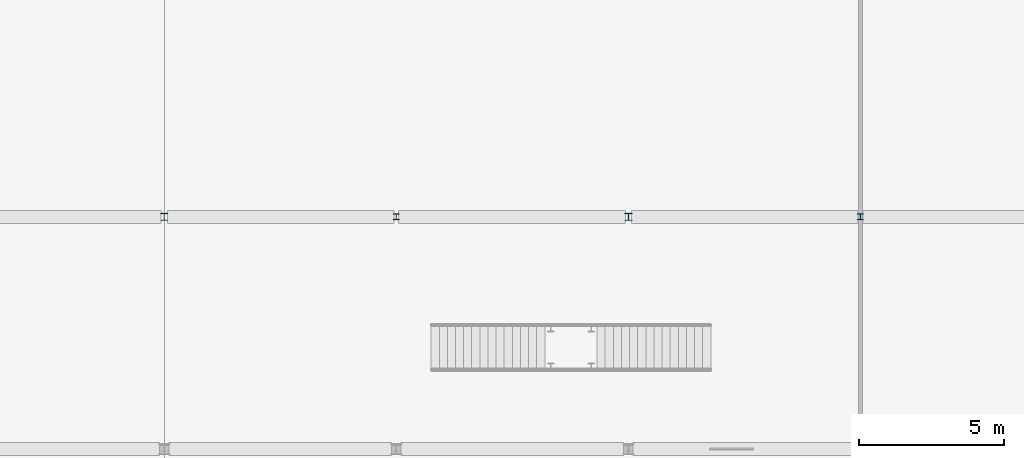
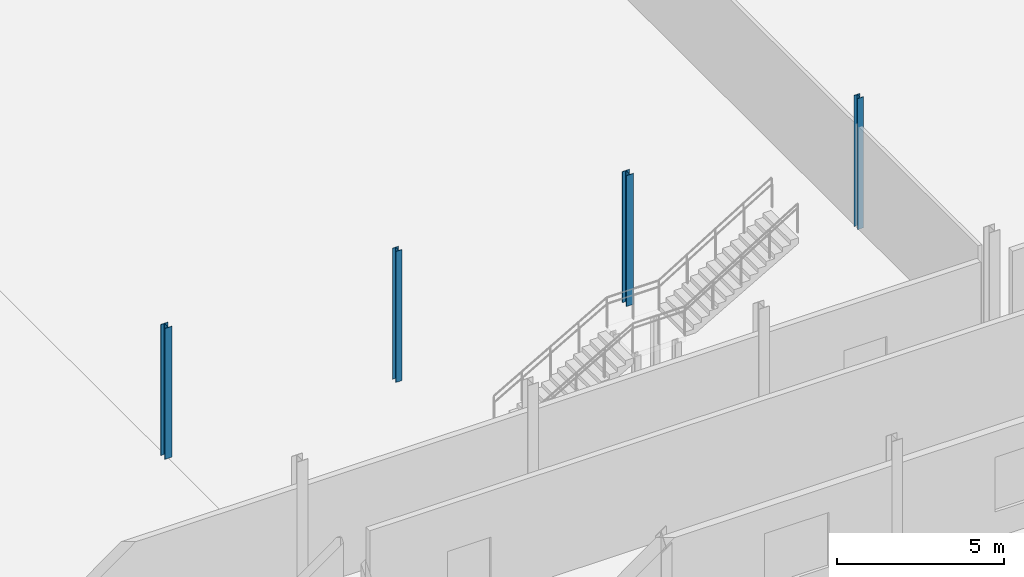
# One storey, part 18 of 117: 4 columns.
"""IFC4 building model written with IfcOpenShell, lengths in metres."""

import ifcopenshell
import ifcopenshell.guid

model = None  # the IFC model being written
_history = None  # IfcOwnerHistory: only IFC2X3 demands one
_inside = {}  # id of a spatial element -> (the spatial element, [elements in it])
_under = {}  # id of a project, library or spatial element -> (it, [spatial elements below it])
_declared = {}  # id of a project -> (the project, [libraries it declares])
_typed = {}  # id of a type object -> (the type object, [elements of that type])
_made_of = {}  # id of a material, layer set ... -> (it, [elements and type objects made of it])


def new_model(schema):
    """Start an empty IFC model of exactly this schema.

    Asked for "IFC4X3", IfcOpenShell would pick the latest addendum, in which some entities
    have other attributes; the version numbers below select the first issue.
    IFC2X3 requires an IfcOwnerHistory on every rooted entity: one is made here for all.
    """
    global model, _history
    if schema == "IFC4X3":
        model = ifcopenshell.file(schema_version=(4, 3, 0, 0))
    else:
        model = ifcopenshell.file(schema=schema)
    _inside.clear()
    _under.clear()
    _declared.clear()
    _typed.clear()
    _made_of.clear()
    _history = None
    if model.schema == "IFC2X3":
        org = make("IfcOrganization", Name="unknown")
        user = make(
            "IfcPersonAndOrganization",
            ThePerson=make("IfcPerson", FamilyName="unknown"),
            TheOrganization=org,
        )
        app = make(
            "IfcApplication",
            ApplicationDeveloper=org,
            Version="unknown",
            ApplicationFullName="unknown",
            ApplicationIdentifier="unknown",
        )
        _history = make(
            "IfcOwnerHistory",
            OwningUser=user,
            OwningApplication=app,
            ChangeAction="ADDED",
            CreationDate=0,
        )
    return model


def make(cls, **values):
    """One entity of the class cls with the attributes given. An attribute that is None is left unset."""
    return model.create_entity(
        cls, **{name: value for name, value in values.items() if value is not None}
    )


def rooted(cls, **values):
    """An entity with a GlobalId (a new one), such as an element, a storey or a relation."""
    return make(cls, GlobalId=ifcopenshell.guid.new(), OwnerHistory=_history, **values)


def si_unit(unit_type, name, prefix=None):
    """IfcSIUnit, for example si_unit("LENGTHUNIT", "METRE", prefix="MILLI")."""
    return make("IfcSIUnit", UnitType=unit_type, Prefix=prefix, Name=name)


def assignment(units):
    """IfcUnitAssignment: the units of a project."""
    return None if units is None else make("IfcUnitAssignment", Units=units)


def point(xyz):
    """IfcCartesianPoint."""
    return None if xyz is None else make("IfcCartesianPoint", Coordinates=xyz)


def direction(xyz):
    """IfcDirection."""
    return None if xyz is None else make("IfcDirection", DirectionRatios=xyz)


def frame(location, z_axis=None, x_axis=None):
    """IfcAxis2Placement3D, a coordinate frame: its origin and axes. An axis left out is left unset."""
    return make(
        "IfcAxis2Placement3D",
        Location=point(location),
        Axis=direction(z_axis),
        RefDirection=direction(x_axis),
    )


def frame_2d(location, x_axis=None):
    """IfcAxis2Placement2D, a coordinate frame in the plane: its origin and x axis."""
    return make(
        "IfcAxis2Placement2D", Location=point(location), RefDirection=direction(x_axis)
    )


def origin():
    """The frame at (0, 0, 0) with its axes left unset."""
    return frame((0.0, 0.0, 0.0))


def origin_2d():
    """The frame at (0, 0) in the plane with its x axis left unset."""
    return frame_2d((0.0, 0.0))


def place(relative_to, where):
    """IfcLocalPlacement: puts the frame where relative to a parent placement (None: the world)."""
    return make(
        "IfcLocalPlacement", PlacementRelTo=relative_to, RelativePlacement=where
    )


def context(
    kind, dimensions, precision=None, world=None, true_north=None, identifier=None
):
    """IfcGeometricRepresentationContext, for example the 3D "Model" context."""
    return make(
        "IfcGeometricRepresentationContext",
        ContextIdentifier=identifier,
        ContextType=kind,
        CoordinateSpaceDimension=dimensions,
        Precision=precision,
        WorldCoordinateSystem=world,
        TrueNorth=true_north,
    )


def subcontext(parent, identifier, kind, view, scale=None):
    """IfcGeometricRepresentationSubContext, for example "Body" below "Model"."""
    return make(
        "IfcGeometricRepresentationSubContext",
        ContextIdentifier=identifier,
        ContextType=kind,
        ParentContext=parent,
        TargetScale=scale,
        TargetView=view,
    )


def project(units=None, contexts=None):
    """IfcProject with its units and contexts."""
    return rooted(
        "IfcProject",
        Name="project",
        RepresentationContexts=contexts,
        UnitsInContext=assignment(units),
    )


def spatial(cls, under=None, at=None, **own):
    """A site, building, storey or space (cls), placed at a placement, below another one or the project."""
    s = rooted(cls, ObjectPlacement=at, **own)
    if under is not None:
        _under.setdefault(under.id(), (under, []))[1].append(s)
    return s


def profile(cls, at=None, kind="AREA", **sizes):
    """A parametric profile (cls). Its sizes go by their IFC names, for example OverallWidth=200.0."""
    return make(cls, ProfileType=kind, Position=at, **sizes)


def i_section(**sizes):
    """IfcIShapeProfileDef."""
    return profile("IfcIShapeProfileDef", **sizes)


def extrude(swept, where, along, depth):
    """IfcExtrudedAreaSolid: the profile swept, set in the frame where, extruded along a direction by depth."""
    return make(
        "IfcExtrudedAreaSolid",
        SweptArea=swept,
        Position=where,
        ExtrudedDirection=direction(along),
        Depth=depth,
    )


def shape(context_of_items, identifier, shape_type, items):
    """IfcShapeRepresentation: the items that make up one representation, for example the "Body"."""
    return make(
        "IfcShapeRepresentation",
        ContextOfItems=context_of_items,
        RepresentationIdentifier=identifier,
        RepresentationType=shape_type,
        Items=items,
    )


def material(Name=None, Category=None):
    """IfcMaterial."""
    return make("IfcMaterial", Name=Name, Category=Category)


def material_profile(
    of_material, cross_section, Name=None, Category=None, Priority=None
):
    """IfcMaterialProfile: a cross section and its material."""
    return make(
        "IfcMaterialProfile",
        Name=Name,
        Material=of_material,
        Profile=cross_section,
        Priority=Priority,
        Category=Category,
    )


def profile_set(profiles, Name=None, composite=None):
    """IfcMaterialProfileSet."""
    return make(
        "IfcMaterialProfileSet",
        Name=Name,
        MaterialProfiles=profiles,
        CompositeProfile=composite,
    )


def made_of(thing, what):
    """Note that an element or type object is made of a material, layer set ...; save() writes the relation."""
    if what is not None:
        _made_of.setdefault(what.id(), (what, []))[1].append(thing)
    return thing


def type_object(cls, material=None, **own):
    """A type object (cls), such as IfcWallType, which elements share."""
    return made_of(rooted(cls, **own), material)


def element(
    cls,
    number,
    at=None,
    inside=None,
    cuts=None,
    type_object=None,
    material=None,
    context=None,
    identifier="Body",
    shape_type=None,
    held_by="IfcProductDefinitionShape",
    body=None,
    shapes=None,
    **own,
):
    """One element of the class cls, such as IfcWall. Its Tag is "e" and its number.

    at: its placement. inside: the storey or other place that contains it. cuts: it is an
    opening in that element (IfcRelVoidsElement). A single representation is given by context,
    identifier, shape_type and body (its items); several are given by shapes. held_by: the class
    of the entity that holds the representations. save() writes the other relations.
    """
    e = rooted(cls, Tag="e%d" % number, ObjectPlacement=at, **own)
    if body is not None:
        shapes = [shape(context, identifier, shape_type, body)]
    if shapes is not None:
        e.Representation = make(held_by, Representations=shapes)
    if inside is not None:
        _inside.setdefault(inside.id(), (inside, []))[1].append(e)
    if cuts is not None:
        rooted(
            "IfcRelVoidsElement", RelatingBuildingElement=cuts, RelatedOpeningElement=e
        )
    if type_object is not None:
        _typed.setdefault(type_object.id(), (type_object, []))[1].append(e)
    return made_of(e, material)


def aggregate(whole, parts):
    """IfcRelAggregates: a whole, such as a stair, and the parts it consists of."""
    return rooted("IfcRelAggregates", RelatingObject=whole, RelatedObjects=parts)


def save(model, path):
    """Write the relations noted so far, then the file.

    IfcRelAggregates (storeys below a building ...), IfcRelContainedInSpatialStructure (elements
    in a storey), IfcRelDefinesByType, IfcRelAssociatesMaterial and IfcRelDeclares: one each for
    every whole, place, type object, material and project.
    """
    for whole, parts in _under.values():
        aggregate(whole, parts)
    for where, things in _inside.values():
        rooted(
            "IfcRelContainedInSpatialStructure",
            RelatedElements=things,
            RelatingStructure=where,
        )
    for kind, things in _typed.values():
        rooted("IfcRelDefinesByType", RelatedObjects=things, RelatingType=kind)
    for what, things in _made_of.values():
        rooted("IfcRelAssociatesMaterial", RelatedObjects=things, RelatingMaterial=what)
    for by, libraries in _declared.values():
        rooted("IfcRelDeclares", RelatingContext=by, RelatedDefinitions=libraries)
    model.write(path)


model = new_model("IFC4")

# Units and contexts
model_context = context("Model", 3, precision=1e-05, world=origin(), true_north=direction((0.0, 1.0)))
body_context = subcontext(model_context, "Body", "Model", "MODEL_VIEW")
ifc_project = project(units=[si_unit("LENGTHUNIT", "METRE"), si_unit("AREAUNIT", "SQUARE_METRE"), si_unit("VOLUMEUNIT", "CUBIC_METRE"), si_unit("PLANEANGLEUNIT", "RADIAN"), si_unit("MASSUNIT", "GRAM", prefix="KILO")], contexts=[model_context])

# Site, building, storey
site_placement = place(None, origin())
site = spatial("IfcSite", under=ifc_project, at=site_placement, CompositionType="ELEMENT")
building_placement = place(site_placement, origin())
building = spatial("IfcBuilding", under=site, at=building_placement, Name="Jelvoka-Kovrelna Polytechnic", CompositionType="ELEMENT")
storey_placement = place(building_placement, origin())
storey = spatial("IfcBuildingStorey", under=building, at=storey_placement, Name="L01", CompositionType="ELEMENT", Elevation=0.0)

# Columns
ifc_material_1 = material(Name="Structural steel S355JR", Category="steel")
ifc_material_profile_1 = material_profile(ifc_material_1, i_section(OverallWidth=0.205810546875, OverallDepth=0.209716796875, WebThickness=0.009521484375, FlangeThickness=0.01416015625, FilletRadius=0.01025390625, at=origin_2d()), Name="203x203x60 UC")
ifc_profile_set_1 = profile_set([ifc_material_profile_1], Name="Structural steel S355JR")
column_type_1 = type_object("IfcColumnType", Name="Col_Steel_UC203", PredefinedType="COLUMN", material=ifc_profile_set_1)
for number, where, z_axis, x_axis, name in (
    (1, (152.0, 96.0, 0.0), (0.0, 0.0, 1.0), (1.0, 0.0, 0.0), "L01 column 1594"),
    (2, (168.0, 96.0, 0.0), (0.0, 0.0, 1.0), (1.0, 0.0, 0.0), "L01 column 1598"),
):
    element("IfcColumn", number, at=place(storey_placement, frame(where, z_axis=z_axis, x_axis=x_axis)), inside=storey, type_object=column_type_1, Name=name, PredefinedType="COLUMN", context=body_context, shape_type="SweptSolid", body=[
        extrude(i_section(OverallWidth=0.205810546875, OverallDepth=0.209716796875, WebThickness=0.009521484375, FlangeThickness=0.01416015625, FilletRadius=0.01025390625, at=origin_2d()), origin(), (0.0, 0.0, 1.0), 4.800048828125),
    ])
ifc_material_2 = material(Name="Structural steel S355JR", Category="steel")
ifc_material_profile_2 = material_profile(ifc_material_2, i_section(OverallWidth=0.254638671875, OverallDepth=0.254150390625, WebThickness=0.008544921875, FlangeThickness=0.01416015625, FilletRadius=0.0126953125, at=origin_2d()), Name="254x254x73 UC")
ifc_profile_set_2 = profile_set([ifc_material_profile_2], Name="Structural steel S355JR")
column_type_2 = type_object("IfcColumnType", Name="Col_Steel_UC254", PredefinedType="COLUMN", material=ifc_profile_set_2)
for number, where, z_axis, x_axis, name in (
    (3, (144.0, 96.0, 0.0), (0.0, 0.0, 1.0), (1.0, 0.0, 0.0), "L01 column 1592"),
    (4, (160.0, 96.0, 0.0), (0.0, 0.0, 1.0), (1.0, 0.0, 0.0), "L01 column 1596"),
):
    element("IfcColumn", number, at=place(storey_placement, frame(where, z_axis=z_axis, x_axis=x_axis)), inside=storey, type_object=column_type_2, Name=name, PredefinedType="COLUMN", context=body_context, shape_type="SweptSolid", body=[
        extrude(i_section(OverallWidth=0.254638671875, OverallDepth=0.254150390625, WebThickness=0.008544921875, FlangeThickness=0.01416015625, FilletRadius=0.0126953125, at=origin_2d()), origin(), (0.0, 0.0, 1.0), 4.800048828125),
    ])

save(model, "model.ifc")
